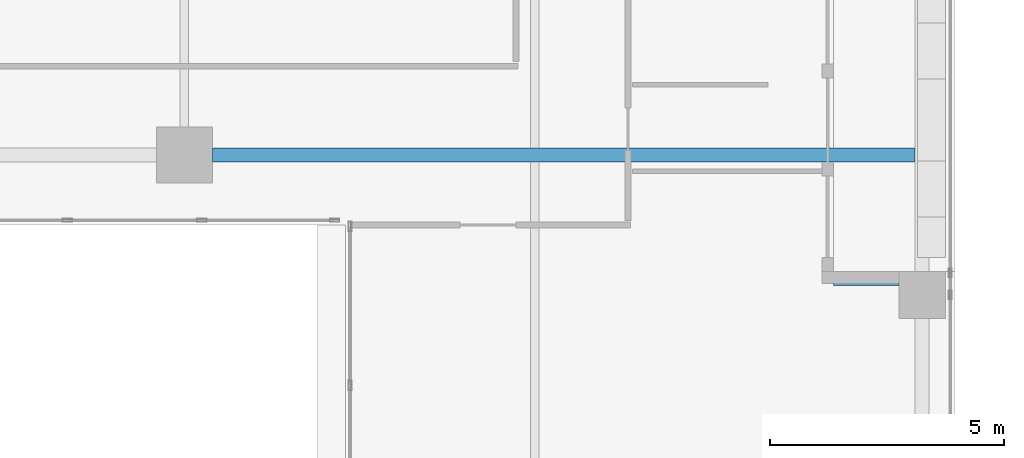
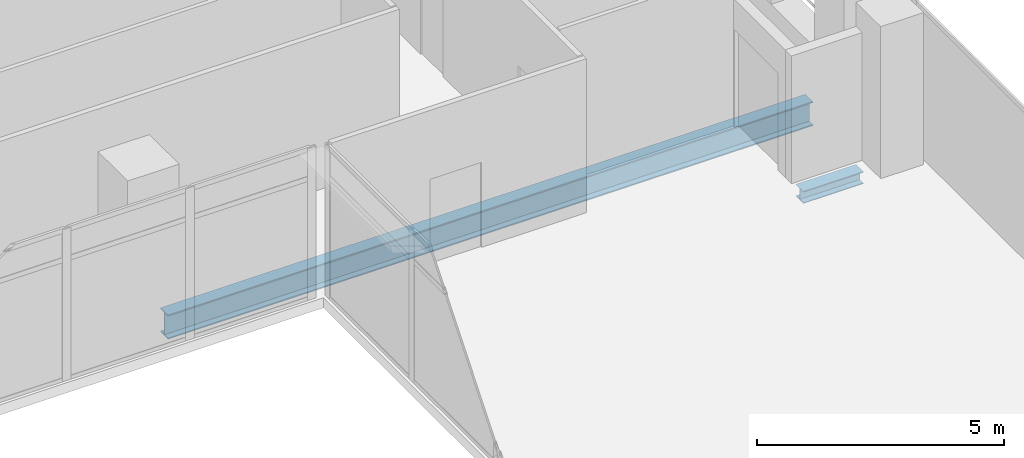
# One storey, part 14 of 37: 2 beams.
"""IFC4 building model written with IfcOpenShell, lengths in metres."""

from ifc_helpers import new_model, si_unit, direction, frame, origin, origin_2d, place, context, subcontext, project, spatial, i_section, extrude, source, transform, mapped, material, material_profile, profile_set, type_object, element, save


model = new_model("IFC4")

# Units and contexts
model_context = context("Model", 3, precision=1e-05, world=origin(), true_north=direction((0.0, 1.0)))
body_context = subcontext(model_context, "Body", "Model", "MODEL_VIEW")
ifc_project = project(units=[si_unit("LENGTHUNIT", "METRE"), si_unit("AREAUNIT", "SQUARE_METRE"), si_unit("VOLUMEUNIT", "CUBIC_METRE"), si_unit("PLANEANGLEUNIT", "RADIAN"), si_unit("MASSUNIT", "GRAM", prefix="KILO")], contexts=[model_context])

# Site, building, storey
site_placement = place(None, origin())
site = spatial("IfcSite", under=ifc_project, at=site_placement, CompositionType="ELEMENT")
building_placement = place(site_placement, origin())
building = spatial("IfcBuilding", under=site, at=building_placement, Name="Khomas Fold Tower", CompositionType="ELEMENT")
storey_placement = place(building_placement, frame((0.0, 0.0, 168.699951171875)))
storey = spatial("IfcBuildingStorey", under=building, at=storey_placement, Name="L36", CompositionType="ELEMENT", Elevation=168.699951171875)

# Beams
ifc_material_1 = material(Name="Steel S355", Category="steel")
ifc_material_profile_1 = material_profile(ifc_material_1, i_section(OverallWidth=0.300048828125, OverallDepth=0.60009765625, WebThickness=0.015380859375, FlangeThickness=0.030029296875, at=origin_2d()), Name="HE 600 B")
ifc_profile_set_1 = profile_set([ifc_material_profile_1], Name="Steel S355")
beam_type_1 = type_object("IfcBeamType", Name="HE 600 B beam GB5", PredefinedType="BEAM", material=ifc_profile_set_1)
shared_shape_1 = source(origin(), body_context, "Body", "SweptSolid", [
    extrude(i_section(OverallWidth=0.300048828125, OverallDepth=0.60009765625, WebThickness=0.015380859375, FlangeThickness=0.030029296875, at=origin_2d()), origin(), (0.0, 0.0, 1.0), 15.0498046875),
])
beam_1_placement = place(storey_placement, frame((35.10009765625, 22.5, -0.550048828125), z_axis=(1.0, 0.0, 0.0), x_axis=(0.0, 1.0, 0.0)))
element("IfcBeam", 1, at=beam_1_placement, inside=storey, type_object=beam_type_1, Name="GB5", PredefinedType="BEAM", context=body_context, shape_type="MappedRepresentation", body=[
    mapped(shared_shape_1, transform((0.0, 0.0, 0.0))),
])
ifc_material_2 = material(Name="Steel S355", Category="steel")
ifc_material_profile_2 = material_profile(ifc_material_2, i_section(OverallWidth=0.300048828125, OverallDepth=0.300048828125, WebThickness=0.010986328125, FlangeThickness=0.01904296875, at=origin_2d()), Name="HE 300 B")
ifc_profile_set_2 = profile_set([ifc_material_profile_2], Name="Steel S355")
beam_type_2 = type_object("IfcBeamType", Name="HE 300 B beam BB1", PredefinedType="BEAM", material=ifc_profile_set_2)
shared_shape_2 = source(origin(), body_context, "Body", "SweptSolid", [
    extrude(i_section(OverallWidth=0.300048828125, OverallDepth=0.300048828125, WebThickness=0.010986328125, FlangeThickness=0.01904296875, at=origin_2d()), origin(), (0.0, 0.0, 1.0), 1.400146484375),
])
beam_2_placement = place(storey_placement, frame((48.39990234375, 19.85009765625, -0.39990234375), z_axis=(1.0, 0.0, 0.0), x_axis=(0.0, 1.0, 0.0)))
element("IfcBeam", 2, at=beam_2_placement, inside=storey, type_object=beam_type_2, Name="BB1", PredefinedType="BEAM", context=body_context, shape_type="MappedRepresentation", body=[
    mapped(shared_shape_2, transform((0.0, 0.0, 0.0))),
])

save(model, "model.ifc")
